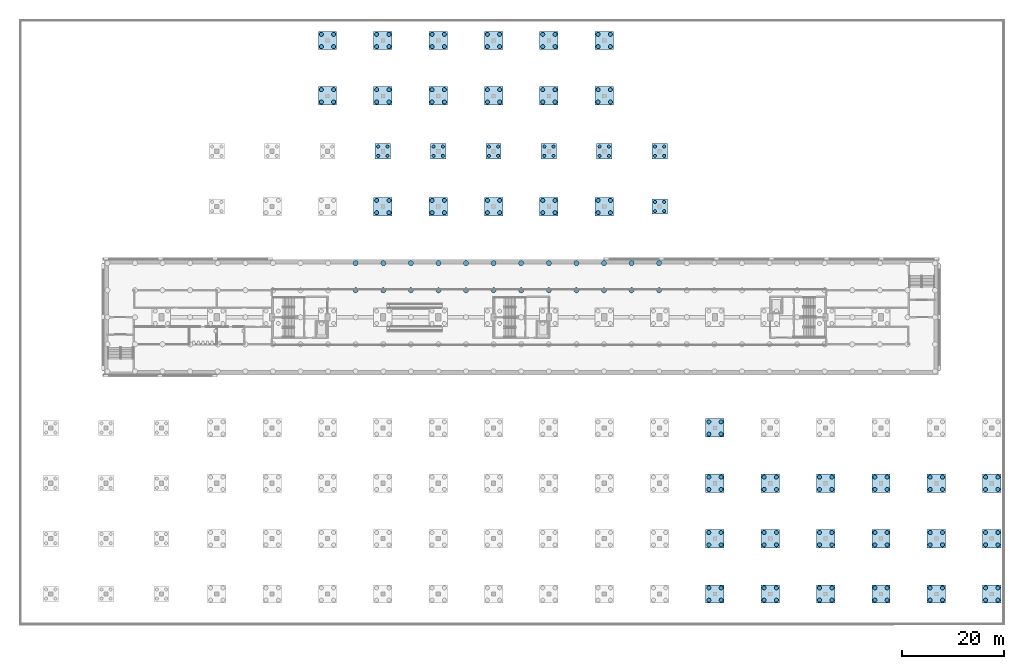
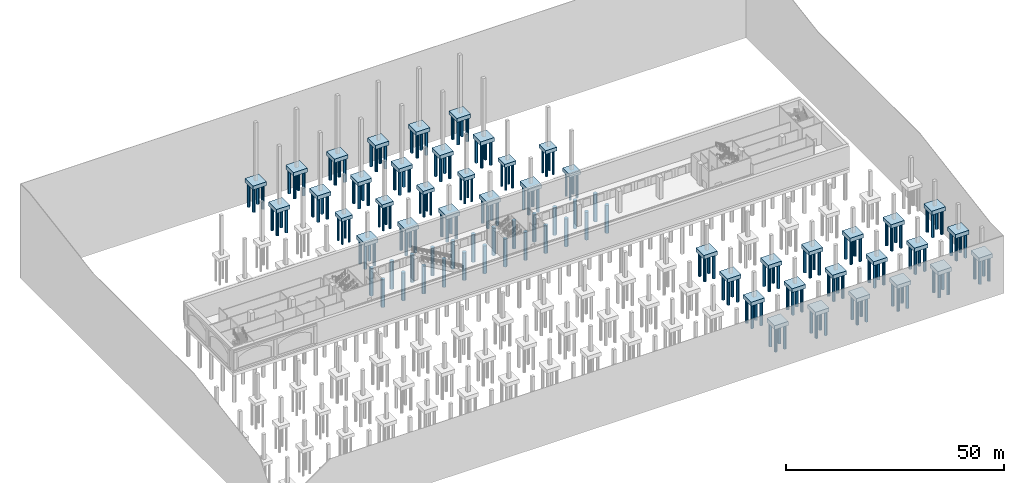
# One storey, part 3 of 39: 196 piles, 43 footings.
"""IFC4 building model written with IfcOpenShell, lengths in metres."""

from ifc_helpers import new_model, si_unit, direction, frame, origin, origin_2d, place, context, subcontext, project, spatial, rectangle, circle, extrude, material, material_profile, profile_set, type_object, element, save


model = new_model("IFC4")

# Units and contexts
model_context = context("Model", 3, precision=1e-05, world=origin(), true_north=direction((0.0, 1.0)))
body_context = subcontext(model_context, "Body", "Model", "MODEL_VIEW")
ifc_project = project(units=[si_unit("LENGTHUNIT", "METRE"), si_unit("AREAUNIT", "SQUARE_METRE"), si_unit("VOLUMEUNIT", "CUBIC_METRE"), si_unit("PLANEANGLEUNIT", "RADIAN"), si_unit("MASSUNIT", "GRAM", prefix="KILO")], contexts=[model_context])

# Site, building, storey
site_placement = place(None, origin())
site = spatial("IfcSite", under=ifc_project, at=site_placement, CompositionType="ELEMENT")
building_placement = place(site_placement, origin())
building = spatial("IfcBuilding", under=site, at=building_placement, Name="Magnolia Steps Interchange", CompositionType="ELEMENT")
storey_placement = place(building_placement, frame((0.0, 0.0, -11.39990234375)))
storey = spatial("IfcBuildingStorey", under=building, at=storey_placement, Name="B2", CompositionType="ELEMENT", Elevation=-11.39990234375)

# Piles
ifc_material_1 = material(Name="Concrete C35", Category="concrete")
ifc_material_profile_1 = material_profile(ifc_material_1, circle(Radius=0.5, at=origin_2d()), Name="Bored pile 1000")
ifc_profile_set_1 = profile_set([ifc_material_profile_1], Name="Concrete C35")
pile_type_1 = type_object("IfcPileType", Name="Bored pile 1000", PredefinedType="BORED", material=ifc_profile_set_1)
for number, where, z_axis, x_axis, name in (
    (1, (69.5, 69.27490234375, -1.300048828125), (0.0, 0.0, -1.0), (1.0, 0.0, 0.0), "Raft pile 10-4"),
    (2, (69.5, 74.550048828125, -1.300048828125), (0.0, 0.0, -1.0), (1.0, 0.0, 0.0), "Raft pile 10-5"),
    (3, (74.88330078125, 69.27490234375, -1.300048828125), (0.0, 0.0, -1.0), (1.0, 0.0, 0.0), "Raft pile 11-4"),
    (4, (74.88330078125, 74.550048828125, -1.300048828125), (0.0, 0.0, -1.0), (1.0, 0.0, 0.0), "Raft pile 11-5"),
    (5, (80.2666015625, 69.27490234375, -1.300048828125), (0.0, 0.0, -1.0), (1.0, 0.0, 0.0), "Raft pile 12-4"),
    (6, (80.2666015625, 74.550048828125, -1.300048828125), (0.0, 0.0, -1.0), (1.0, 0.0, 0.0), "Raft pile 12-5"),
    (7, (85.64990234375, 69.27490234375, -1.300048828125), (0.0, 0.0, -1.0), (1.0, 0.0, 0.0), "Raft pile 13-4"),
    (8, (85.64990234375, 74.550048828125, -1.300048828125), (0.0, 0.0, -1.0), (1.0, 0.0, 0.0), "Raft pile 13-5"),
    (9, (91.033203125, 69.27490234375, -1.300048828125), (0.0, 0.0, -1.0), (1.0, 0.0, 0.0), "Raft pile 14-4"),
    (10, (91.033203125, 74.550048828125, -1.300048828125), (0.0, 0.0, -1.0), (1.0, 0.0, 0.0), "Raft pile 14-5"),
    (11, (96.416748046875, 69.27490234375, -1.300048828125), (0.0, 0.0, -1.0), (1.0, 0.0, 0.0), "Raft pile 15-4"),
    (12, (96.416748046875, 74.550048828125, -1.300048828125), (0.0, 0.0, -1.0), (1.0, 0.0, 0.0), "Raft pile 15-5"),
    (13, (101.800048828125, 69.27490234375, -1.300048828125), (0.0, 0.0, -1.0), (1.0, 0.0, 0.0), "Raft pile 16-4"),
    (14, (101.800048828125, 74.550048828125, -1.300048828125), (0.0, 0.0, -1.0), (1.0, 0.0, 0.0), "Raft pile 16-5"),
    (15, (107.183349609375, 69.27490234375, -1.300048828125), (0.0, 0.0, -1.0), (1.0, 0.0, 0.0), "Raft pile 17-4"),
    (16, (107.183349609375, 74.550048828125, -1.300048828125), (0.0, 0.0, -1.0), (1.0, 0.0, 0.0), "Raft pile 17-5"),
    (17, (112.566650390625, 69.27490234375, -1.300048828125), (0.0, 0.0, -1.0), (1.0, 0.0, 0.0), "Raft pile 18-4"),
    (18, (112.566650390625, 74.550048828125, -1.300048828125), (0.0, 0.0, -1.0), (1.0, 0.0, 0.0), "Raft pile 18-5"),
    (19, (117.949951171875, 69.27490234375, -1.300048828125), (0.0, 0.0, -1.0), (1.0, 0.0, 0.0), "Raft pile 19-4"),
    (20, (117.949951171875, 74.550048828125, -1.300048828125), (0.0, 0.0, -1.0), (1.0, 0.0, 0.0), "Raft pile 19-5"),
    (21, (123.333251953125, 69.27490234375, -1.300048828125), (0.0, 0.0, -1.0), (1.0, 0.0, 0.0), "Raft pile 20-4"),
    (22, (123.333251953125, 74.550048828125, -1.300048828125), (0.0, 0.0, -1.0), (1.0, 0.0, 0.0), "Raft pile 20-5"),
    (23, (128.716796875, 69.27490234375, -1.300048828125), (0.0, 0.0, -1.0), (1.0, 0.0, 0.0), "Raft pile 21-4"),
    (24, (128.716796875, 74.550048828125, -1.300048828125), (0.0, 0.0, -1.0), (1.0, 0.0, 0.0), "Raft pile 21-5"),
):
    element("IfcPile", number, at=place(storey_placement, frame(where, z_axis=z_axis, x_axis=x_axis)), inside=storey, type_object=pile_type_1, Name=name, PredefinedType="BORED", context=body_context, shape_type="SweptSolid", body=[
        extrude(circle(Radius=0.5, at=origin_2d()), origin(), (0.0, 0.0, 1.0), 7.800048828125),
    ])
ifc_material_2 = material(Name="Concrete C35", Category="concrete")
ifc_material_profile_2 = material_profile(ifc_material_2, circle(Radius=0.300048828125, at=origin_2d()), Name="Bored pile 600")
ifc_profile_set_2 = profile_set([ifc_material_profile_2], Name="Concrete C35")
pile_type_2 = type_object("IfcPileType", Name="Bored pile 600", PredefinedType="BORED", material=ifc_profile_set_2)
for number, where, z_axis, x_axis, name in (
    (25, (73.89990234375, 95.5, -2.300048828125), (0.0, 0.0, -1.0), (1.0, 0.0, 0.0), "Bored pile 74.8-96.4-1"),
    (26, (75.699951171875, 95.5, -2.300048828125), (0.0, 0.0, -1.0), (1.0, 0.0, 0.0), "Bored pile 74.8-96.4-2"),
    (27, (75.699951171875, 97.300048828125, -2.300048828125), (0.0, 0.0, -1.0), (1.0, 0.0, 0.0), "Bored pile 74.8-96.4-3"),
    (28, (73.89990234375, 97.300048828125, -2.300048828125), (0.0, 0.0, -1.0), (1.0, 0.0, 0.0), "Bored pile 74.8-96.4-4"),
    (29, (84.699951171875, 95.5, -2.300048828125), (0.0, 0.0, -1.0), (1.0, 0.0, 0.0), "Bored pile 85.6-96.4-1"),
    (30, (86.5, 95.5, -2.300048828125), (0.0, 0.0, -1.0), (1.0, 0.0, 0.0), "Bored pile 85.6-96.4-2"),
    (31, (86.5, 97.300048828125, -2.300048828125), (0.0, 0.0, -1.0), (1.0, 0.0, 0.0), "Bored pile 85.6-96.4-3"),
    (32, (84.699951171875, 97.300048828125, -2.300048828125), (0.0, 0.0, -1.0), (1.0, 0.0, 0.0), "Bored pile 85.6-96.4-4"),
    (33, (95.5, 95.5, -2.300048828125), (0.0, 0.0, -1.0), (1.0, 0.0, 0.0), "Bored pile 96.4-96.4-1"),
    (34, (97.300048828125, 95.5, -2.300048828125), (0.0, 0.0, -1.0), (1.0, 0.0, 0.0), "Bored pile 96.4-96.4-2"),
    (35, (97.300048828125, 97.300048828125, -2.300048828125), (0.0, 0.0, -1.0), (1.0, 0.0, 0.0), "Bored pile 96.4-96.4-3"),
    (36, (95.5, 97.300048828125, -2.300048828125), (0.0, 0.0, -1.0), (1.0, 0.0, 0.0), "Bored pile 96.4-96.4-4"),
    (37, (106.300048828125, 95.5, -2.300048828125), (0.0, 0.0, -1.0), (1.0, 0.0, 0.0), "Bored pile 107.2-96.4-1"),
    (38, (108.10009765625, 95.5, -2.300048828125), (0.0, 0.0, -1.0), (1.0, 0.0, 0.0), "Bored pile 107.2-96.4-2"),
    (39, (108.10009765625, 97.300048828125, -2.300048828125), (0.0, 0.0, -1.0), (1.0, 0.0, 0.0), "Bored pile 107.2-96.4-3"),
    (40, (106.300048828125, 97.300048828125, -2.300048828125), (0.0, 0.0, -1.0), (1.0, 0.0, 0.0), "Bored pile 107.2-96.4-4"),
    (41, (117.10009765625, 95.5, -2.300048828125), (0.0, 0.0, -1.0), (1.0, 0.0, 0.0), "Bored pile 118.0-96.4-1"),
    (42, (118.89990234375, 95.5, -2.300048828125), (0.0, 0.0, -1.0), (1.0, 0.0, 0.0), "Bored pile 118.0-96.4-2"),
    (43, (118.89990234375, 97.300048828125, -2.300048828125), (0.0, 0.0, -1.0), (1.0, 0.0, 0.0), "Bored pile 118.0-96.4-3"),
    (44, (117.10009765625, 97.300048828125, -2.300048828125), (0.0, 0.0, -1.0), (1.0, 0.0, 0.0), "Bored pile 118.0-96.4-4"),
    (45, (127.89990234375, 84.699951171875, -2.300048828125), (0.0, 0.0, -1.0), (1.0, 0.0, 0.0), "Bored pile 128.8-85.6-1"),
    (46, (129.699951171875, 84.699951171875, -2.300048828125), (0.0, 0.0, -1.0), (1.0, 0.0, 0.0), "Bored pile 128.8-85.6-2"),
    (47, (129.699951171875, 86.5, -2.300048828125), (0.0, 0.0, -1.0), (1.0, 0.0, 0.0), "Bored pile 128.8-85.6-3"),
    (48, (127.89990234375, 86.5, -2.300048828125), (0.0, 0.0, -1.0), (1.0, 0.0, 0.0), "Bored pile 128.8-85.6-4"),
    (49, (127.89990234375, 95.5, -2.300048828125), (0.0, 0.0, -1.0), (1.0, 0.0, 0.0), "Bored pile 128.8-96.4-1"),
    (50, (129.699951171875, 95.5, -2.300048828125), (0.0, 0.0, -1.0), (1.0, 0.0, 0.0), "Bored pile 128.8-96.4-2"),
    (51, (129.699951171875, 97.300048828125, -2.300048828125), (0.0, 0.0, -1.0), (1.0, 0.0, 0.0), "Bored pile 128.8-96.4-3"),
    (52, (127.89990234375, 97.300048828125, -2.300048828125), (0.0, 0.0, -1.0), (1.0, 0.0, 0.0), "Bored pile 128.8-96.4-4"),
):
    element("IfcPile", number, at=place(storey_placement, frame(where, z_axis=z_axis, x_axis=x_axis)), inside=storey, type_object=pile_type_2, Name=name, PredefinedType="BORED", context=body_context, shape_type="SweptSolid", body=[
        extrude(circle(Radius=0.300048828125, at=origin_2d()), origin(), (0.0, 0.0, 1.0), 6.800048828125),
    ])
ifc_material_3 = material(Name="Concrete C35", Category="concrete")
ifc_material_profile_3 = material_profile(ifc_material_3, circle(Radius=0.39990234375, at=origin_2d()), Name="Bored pile 800")
ifc_profile_set_3 = profile_set([ifc_material_profile_3], Name="Concrete C35")
pile_type_3 = type_object("IfcPileType", Name="Bored pile 800", PredefinedType="BORED", material=ifc_profile_set_3)
for number, where, z_axis, x_axis, name in (
    (53, (138.39990234375, 41.199951171875, -2.400146484375), (0.0, 0.0, -1.0), (1.0, 0.0, 0.0), "Bored pile 139.6-42.4-1"),
    (54, (140.800048828125, 41.199951171875, -2.400146484375), (0.0, 0.0, -1.0), (1.0, 0.0, 0.0), "Bored pile 139.6-42.4-2"),
    (55, (140.800048828125, 43.60009765625, -2.400146484375), (0.0, 0.0, -1.0), (1.0, 0.0, 0.0), "Bored pile 139.6-42.4-3"),
    (56, (138.39990234375, 43.60009765625, -2.400146484375), (0.0, 0.0, -1.0), (1.0, 0.0, 0.0), "Bored pile 139.6-42.4-4"),
    (57, (138.39990234375, 8.800048828125, -2.400146484375), (0.0, 0.0, -1.0), (1.0, 0.0, 0.0), "Bored pile 139.6-10.0-1"),
    (58, (140.800048828125, 8.800048828125, -2.400146484375), (0.0, 0.0, -1.0), (1.0, 0.0, 0.0), "Bored pile 139.6-10.0-2"),
    (59, (140.800048828125, 11.199951171875, -2.400146484375), (0.0, 0.0, -1.0), (1.0, 0.0, 0.0), "Bored pile 139.6-10.0-3"),
    (60, (138.39990234375, 11.199951171875, -2.400146484375), (0.0, 0.0, -1.0), (1.0, 0.0, 0.0), "Bored pile 139.6-10.0-4"),
    (61, (138.39990234375, 19.60009765625, -2.400146484375), (0.0, 0.0, -1.0), (1.0, 0.0, 0.0), "Bored pile 139.6-20.8-1"),
    (62, (140.800048828125, 19.60009765625, -2.400146484375), (0.0, 0.0, -1.0), (1.0, 0.0, 0.0), "Bored pile 139.6-20.8-2"),
    (63, (140.800048828125, 22.0, -2.400146484375), (0.0, 0.0, -1.0), (1.0, 0.0, 0.0), "Bored pile 139.6-20.8-3"),
    (64, (138.39990234375, 22.0, -2.400146484375), (0.0, 0.0, -1.0), (1.0, 0.0, 0.0), "Bored pile 139.6-20.8-4"),
    (65, (138.39990234375, 30.39990234375, -2.400146484375), (0.0, 0.0, -1.0), (1.0, 0.0, 0.0), "Bored pile 139.6-31.6-1"),
    (66, (140.800048828125, 30.39990234375, -2.400146484375), (0.0, 0.0, -1.0), (1.0, 0.0, 0.0), "Bored pile 139.6-31.6-2"),
    (67, (140.800048828125, 32.800048828125, -2.400146484375), (0.0, 0.0, -1.0), (1.0, 0.0, 0.0), "Bored pile 139.6-31.6-3"),
    (68, (138.39990234375, 32.800048828125, -2.400146484375), (0.0, 0.0, -1.0), (1.0, 0.0, 0.0), "Bored pile 139.6-31.6-4"),
    (69, (149.199951171875, 8.800048828125, -2.400146484375), (0.0, 0.0, -1.0), (1.0, 0.0, 0.0), "Bored pile 150.4-10.0-1"),
    (70, (151.60009765625, 8.800048828125, -2.400146484375), (0.0, 0.0, -1.0), (1.0, 0.0, 0.0), "Bored pile 150.4-10.0-2"),
    (71, (151.60009765625, 11.199951171875, -2.400146484375), (0.0, 0.0, -1.0), (1.0, 0.0, 0.0), "Bored pile 150.4-10.0-3"),
    (72, (149.199951171875, 11.199951171875, -2.400146484375), (0.0, 0.0, -1.0), (1.0, 0.0, 0.0), "Bored pile 150.4-10.0-4"),
    (73, (149.199951171875, 19.60009765625, -2.400146484375), (0.0, 0.0, -1.0), (1.0, 0.0, 0.0), "Bored pile 150.4-20.8-1"),
    (74, (151.60009765625, 19.60009765625, -2.400146484375), (0.0, 0.0, -1.0), (1.0, 0.0, 0.0), "Bored pile 150.4-20.8-2"),
    (75, (151.60009765625, 22.0, -2.400146484375), (0.0, 0.0, -1.0), (1.0, 0.0, 0.0), "Bored pile 150.4-20.8-3"),
    (76, (149.199951171875, 22.0, -2.400146484375), (0.0, 0.0, -1.0), (1.0, 0.0, 0.0), "Bored pile 150.4-20.8-4"),
    (77, (149.199951171875, 30.39990234375, -2.400146484375), (0.0, 0.0, -1.0), (1.0, 0.0, 0.0), "Bored pile 150.4-31.6-1"),
    (78, (151.60009765625, 30.39990234375, -2.400146484375), (0.0, 0.0, -1.0), (1.0, 0.0, 0.0), "Bored pile 150.4-31.6-2"),
    (79, (151.60009765625, 32.800048828125, -2.400146484375), (0.0, 0.0, -1.0), (1.0, 0.0, 0.0), "Bored pile 150.4-31.6-3"),
    (80, (149.199951171875, 32.800048828125, -2.400146484375), (0.0, 0.0, -1.0), (1.0, 0.0, 0.0), "Bored pile 150.4-31.6-4"),
    (81, (160.0, 8.800048828125, -2.400146484375), (0.0, 0.0, -1.0), (1.0, 0.0, 0.0), "Bored pile 161.2-10.0-1"),
    (82, (162.39990234375, 8.800048828125, -2.400146484375), (0.0, 0.0, -1.0), (1.0, 0.0, 0.0), "Bored pile 161.2-10.0-2"),
    (83, (162.39990234375, 11.199951171875, -2.400146484375), (0.0, 0.0, -1.0), (1.0, 0.0, 0.0), "Bored pile 161.2-10.0-3"),
    (84, (160.0, 11.199951171875, -2.400146484375), (0.0, 0.0, -1.0), (1.0, 0.0, 0.0), "Bored pile 161.2-10.0-4"),
    (85, (160.0, 19.60009765625, -2.400146484375), (0.0, 0.0, -1.0), (1.0, 0.0, 0.0), "Bored pile 161.2-20.8-1"),
    (86, (162.39990234375, 19.60009765625, -2.400146484375), (0.0, 0.0, -1.0), (1.0, 0.0, 0.0), "Bored pile 161.2-20.8-2"),
    (87, (162.39990234375, 22.0, -2.400146484375), (0.0, 0.0, -1.0), (1.0, 0.0, 0.0), "Bored pile 161.2-20.8-3"),
    (88, (160.0, 22.0, -2.400146484375), (0.0, 0.0, -1.0), (1.0, 0.0, 0.0), "Bored pile 161.2-20.8-4"),
    (89, (160.0, 30.39990234375, -2.400146484375), (0.0, 0.0, -1.0), (1.0, 0.0, 0.0), "Bored pile 161.2-31.6-1"),
    (90, (162.39990234375, 30.39990234375, -2.400146484375), (0.0, 0.0, -1.0), (1.0, 0.0, 0.0), "Bored pile 161.2-31.6-2"),
    (91, (162.39990234375, 32.800048828125, -2.400146484375), (0.0, 0.0, -1.0), (1.0, 0.0, 0.0), "Bored pile 161.2-31.6-3"),
    (92, (160.0, 32.800048828125, -2.400146484375), (0.0, 0.0, -1.0), (1.0, 0.0, 0.0), "Bored pile 161.2-31.6-4"),
    (93, (170.800048828125, 8.800048828125, -2.400146484375), (0.0, 0.0, -1.0), (1.0, 0.0, 0.0), "Bored pile 172.0-10.0-1"),
    (94, (173.199951171875, 8.800048828125, -2.400146484375), (0.0, 0.0, -1.0), (1.0, 0.0, 0.0), "Bored pile 172.0-10.0-2"),
    (95, (173.199951171875, 11.199951171875, -2.400146484375), (0.0, 0.0, -1.0), (1.0, 0.0, 0.0), "Bored pile 172.0-10.0-3"),
    (96, (170.800048828125, 11.199951171875, -2.400146484375), (0.0, 0.0, -1.0), (1.0, 0.0, 0.0), "Bored pile 172.0-10.0-4"),
    (97, (170.800048828125, 19.60009765625, -2.400146484375), (0.0, 0.0, -1.0), (1.0, 0.0, 0.0), "Bored pile 172.0-20.8-1"),
    (98, (173.199951171875, 19.60009765625, -2.400146484375), (0.0, 0.0, -1.0), (1.0, 0.0, 0.0), "Bored pile 172.0-20.8-2"),
    (99, (173.199951171875, 22.0, -2.400146484375), (0.0, 0.0, -1.0), (1.0, 0.0, 0.0), "Bored pile 172.0-20.8-3"),
    (100, (170.800048828125, 22.0, -2.400146484375), (0.0, 0.0, -1.0), (1.0, 0.0, 0.0), "Bored pile 172.0-20.8-4"),
    (101, (170.800048828125, 30.39990234375, -2.400146484375), (0.0, 0.0, -1.0), (1.0, 0.0, 0.0), "Bored pile 172.0-31.6-1"),
    (102, (173.199951171875, 30.39990234375, -2.400146484375), (0.0, 0.0, -1.0), (1.0, 0.0, 0.0), "Bored pile 172.0-31.6-2"),
    (103, (173.199951171875, 32.800048828125, -2.400146484375), (0.0, 0.0, -1.0), (1.0, 0.0, 0.0), "Bored pile 172.0-31.6-3"),
    (104, (170.800048828125, 32.800048828125, -2.400146484375), (0.0, 0.0, -1.0), (1.0, 0.0, 0.0), "Bored pile 172.0-31.6-4"),
    (105, (181.60009765625, 8.800048828125, -2.400146484375), (0.0, 0.0, -1.0), (1.0, 0.0, 0.0), "Bored pile 182.8-10.0-1"),
    (106, (184.0, 8.800048828125, -2.400146484375), (0.0, 0.0, -1.0), (1.0, 0.0, 0.0), "Bored pile 182.8-10.0-2"),
    (107, (184.0, 11.199951171875, -2.400146484375), (0.0, 0.0, -1.0), (1.0, 0.0, 0.0), "Bored pile 182.8-10.0-3"),
    (108, (181.60009765625, 11.199951171875, -2.400146484375), (0.0, 0.0, -1.0), (1.0, 0.0, 0.0), "Bored pile 182.8-10.0-4"),
    (109, (181.60009765625, 19.60009765625, -2.400146484375), (0.0, 0.0, -1.0), (1.0, 0.0, 0.0), "Bored pile 182.8-20.8-1"),
    (110, (184.0, 19.60009765625, -2.400146484375), (0.0, 0.0, -1.0), (1.0, 0.0, 0.0), "Bored pile 182.8-20.8-2"),
    (111, (184.0, 22.0, -2.400146484375), (0.0, 0.0, -1.0), (1.0, 0.0, 0.0), "Bored pile 182.8-20.8-3"),
    (112, (181.60009765625, 22.0, -2.400146484375), (0.0, 0.0, -1.0), (1.0, 0.0, 0.0), "Bored pile 182.8-20.8-4"),
    (113, (181.60009765625, 30.39990234375, -2.400146484375), (0.0, 0.0, -1.0), (1.0, 0.0, 0.0), "Bored pile 182.8-31.6-1"),
    (114, (184.0, 30.39990234375, -2.400146484375), (0.0, 0.0, -1.0), (1.0, 0.0, 0.0), "Bored pile 182.8-31.6-2"),
    (115, (184.0, 32.800048828125, -2.400146484375), (0.0, 0.0, -1.0), (1.0, 0.0, 0.0), "Bored pile 182.8-31.6-3"),
    (116, (181.60009765625, 32.800048828125, -2.400146484375), (0.0, 0.0, -1.0), (1.0, 0.0, 0.0), "Bored pile 182.8-31.6-4"),
    (117, (192.39990234375, 8.800048828125, -2.400146484375), (0.0, 0.0, -1.0), (1.0, 0.0, 0.0), "Bored pile 193.6-10.0-1"),
    (118, (194.800048828125, 8.800048828125, -2.400146484375), (0.0, 0.0, -1.0), (1.0, 0.0, 0.0), "Bored pile 193.6-10.0-2"),
    (119, (194.800048828125, 11.199951171875, -2.400146484375), (0.0, 0.0, -1.0), (1.0, 0.0, 0.0), "Bored pile 193.6-10.0-3"),
    (120, (192.39990234375, 11.199951171875, -2.400146484375), (0.0, 0.0, -1.0), (1.0, 0.0, 0.0), "Bored pile 193.6-10.0-4"),
    (121, (192.39990234375, 19.60009765625, -2.400146484375), (0.0, 0.0, -1.0), (1.0, 0.0, 0.0), "Bored pile 193.6-20.8-1"),
    (122, (194.800048828125, 19.60009765625, -2.400146484375), (0.0, 0.0, -1.0), (1.0, 0.0, 0.0), "Bored pile 193.6-20.8-2"),
    (123, (194.800048828125, 22.0, -2.400146484375), (0.0, 0.0, -1.0), (1.0, 0.0, 0.0), "Bored pile 193.6-20.8-3"),
    (124, (192.39990234375, 22.0, -2.400146484375), (0.0, 0.0, -1.0), (1.0, 0.0, 0.0), "Bored pile 193.6-20.8-4"),
    (125, (192.39990234375, 30.39990234375, -2.400146484375), (0.0, 0.0, -1.0), (1.0, 0.0, 0.0), "Bored pile 193.6-31.6-1"),
    (126, (194.800048828125, 30.39990234375, -2.400146484375), (0.0, 0.0, -1.0), (1.0, 0.0, 0.0), "Bored pile 193.6-31.6-2"),
    (127, (194.800048828125, 32.800048828125, -2.400146484375), (0.0, 0.0, -1.0), (1.0, 0.0, 0.0), "Bored pile 193.6-31.6-3"),
    (128, (192.39990234375, 32.800048828125, -2.400146484375), (0.0, 0.0, -1.0), (1.0, 0.0, 0.0), "Bored pile 193.6-31.6-4"),
    (129, (73.60009765625, 84.39990234375, -2.400146484375), (0.0, 0.0, -1.0), (1.0, 0.0, 0.0), "Bored pile 74.8-85.6-1"),
    (130, (76.0, 84.39990234375, -2.400146484375), (0.0, 0.0, -1.0), (1.0, 0.0, 0.0), "Bored pile 74.8-85.6-2"),
    (131, (76.0, 86.800048828125, -2.400146484375), (0.0, 0.0, -1.0), (1.0, 0.0, 0.0), "Bored pile 74.8-85.6-3"),
    (132, (73.60009765625, 86.800048828125, -2.400146484375), (0.0, 0.0, -1.0), (1.0, 0.0, 0.0), "Bored pile 74.8-85.6-4"),
    (133, (84.39990234375, 84.39990234375, -2.400146484375), (0.0, 0.0, -1.0), (1.0, 0.0, 0.0), "Bored pile 85.6-85.6-1"),
    (134, (86.800048828125, 84.39990234375, -2.400146484375), (0.0, 0.0, -1.0), (1.0, 0.0, 0.0), "Bored pile 85.6-85.6-2"),
    (135, (86.800048828125, 86.800048828125, -2.400146484375), (0.0, 0.0, -1.0), (1.0, 0.0, 0.0), "Bored pile 85.6-85.6-3"),
    (136, (84.39990234375, 86.800048828125, -2.400146484375), (0.0, 0.0, -1.0), (1.0, 0.0, 0.0), "Bored pile 85.6-85.6-4"),
    (137, (95.199951171875, 84.39990234375, -2.400146484375), (0.0, 0.0, -1.0), (1.0, 0.0, 0.0), "Bored pile 96.4-85.6-1"),
    (138, (97.60009765625, 84.39990234375, -2.400146484375), (0.0, 0.0, -1.0), (1.0, 0.0, 0.0), "Bored pile 96.4-85.6-2"),
    (139, (97.60009765625, 86.800048828125, -2.400146484375), (0.0, 0.0, -1.0), (1.0, 0.0, 0.0), "Bored pile 96.4-85.6-3"),
    (140, (95.199951171875, 86.800048828125, -2.400146484375), (0.0, 0.0, -1.0), (1.0, 0.0, 0.0), "Bored pile 96.4-85.6-4"),
    (141, (106.0, 84.39990234375, -2.400146484375), (0.0, 0.0, -1.0), (1.0, 0.0, 0.0), "Bored pile 107.2-85.6-1"),
    (142, (108.39990234375, 84.39990234375, -2.400146484375), (0.0, 0.0, -1.0), (1.0, 0.0, 0.0), "Bored pile 107.2-85.6-2"),
    (143, (108.39990234375, 86.800048828125, -2.400146484375), (0.0, 0.0, -1.0), (1.0, 0.0, 0.0), "Bored pile 107.2-85.6-3"),
    (144, (106.0, 86.800048828125, -2.400146484375), (0.0, 0.0, -1.0), (1.0, 0.0, 0.0), "Bored pile 107.2-85.6-4"),
    (145, (116.800048828125, 84.39990234375, -2.400146484375), (0.0, 0.0, -1.0), (1.0, 0.0, 0.0), "Bored pile 118.0-85.6-1"),
    (146, (119.199951171875, 84.39990234375, -2.400146484375), (0.0, 0.0, -1.0), (1.0, 0.0, 0.0), "Bored pile 118.0-85.6-2"),
    (147, (119.199951171875, 86.800048828125, -2.400146484375), (0.0, 0.0, -1.0), (1.0, 0.0, 0.0), "Bored pile 118.0-85.6-3"),
    (148, (116.800048828125, 86.800048828125, -2.400146484375), (0.0, 0.0, -1.0), (1.0, 0.0, 0.0), "Bored pile 118.0-85.6-4"),
    (149, (62.800048828125, 106.0, -2.400146484375), (0.0, 0.0, -1.0), (1.0, 0.0, 0.0), "Bored pile 64.0-107.2-1"),
    (150, (65.199951171875, 106.0, -2.400146484375), (0.0, 0.0, -1.0), (1.0, 0.0, 0.0), "Bored pile 64.0-107.2-2"),
    (151, (65.199951171875, 108.39990234375, -2.400146484375), (0.0, 0.0, -1.0), (1.0, 0.0, 0.0), "Bored pile 64.0-107.2-3"),
    (152, (62.800048828125, 108.39990234375, -2.400146484375), (0.0, 0.0, -1.0), (1.0, 0.0, 0.0), "Bored pile 64.0-107.2-4"),
    (153, (62.800048828125, 116.800048828125, -2.400146484375), (0.0, 0.0, -1.0), (1.0, 0.0, 0.0), "Bored pile 64.0-118.0-1"),
    (154, (65.199951171875, 116.800048828125, -2.400146484375), (0.0, 0.0, -1.0), (1.0, 0.0, 0.0), "Bored pile 64.0-118.0-2"),
    (155, (65.199951171875, 119.199951171875, -2.400146484375), (0.0, 0.0, -1.0), (1.0, 0.0, 0.0), "Bored pile 64.0-118.0-3"),
    (156, (62.800048828125, 119.199951171875, -2.400146484375), (0.0, 0.0, -1.0), (1.0, 0.0, 0.0), "Bored pile 64.0-118.0-4"),
    (157, (73.60009765625, 106.0, -2.400146484375), (0.0, 0.0, -1.0), (1.0, 0.0, 0.0), "Bored pile 74.8-107.2-1"),
    (158, (76.0, 106.0, -2.400146484375), (0.0, 0.0, -1.0), (1.0, 0.0, 0.0), "Bored pile 74.8-107.2-2"),
    (159, (76.0, 108.39990234375, -2.400146484375), (0.0, 0.0, -1.0), (1.0, 0.0, 0.0), "Bored pile 74.8-107.2-3"),
    (160, (73.60009765625, 108.39990234375, -2.400146484375), (0.0, 0.0, -1.0), (1.0, 0.0, 0.0), "Bored pile 74.8-107.2-4"),
    (161, (73.60009765625, 116.800048828125, -2.400146484375), (0.0, 0.0, -1.0), (1.0, 0.0, 0.0), "Bored pile 74.8-118.0-1"),
    (162, (76.0, 116.800048828125, -2.400146484375), (0.0, 0.0, -1.0), (1.0, 0.0, 0.0), "Bored pile 74.8-118.0-2"),
    (163, (76.0, 119.199951171875, -2.400146484375), (0.0, 0.0, -1.0), (1.0, 0.0, 0.0), "Bored pile 74.8-118.0-3"),
    (164, (73.60009765625, 119.199951171875, -2.400146484375), (0.0, 0.0, -1.0), (1.0, 0.0, 0.0), "Bored pile 74.8-118.0-4"),
    (165, (84.39990234375, 106.0, -2.400146484375), (0.0, 0.0, -1.0), (1.0, 0.0, 0.0), "Bored pile 85.6-107.2-1"),
    (166, (86.800048828125, 106.0, -2.400146484375), (0.0, 0.0, -1.0), (1.0, 0.0, 0.0), "Bored pile 85.6-107.2-2"),
    (167, (86.800048828125, 108.39990234375, -2.400146484375), (0.0, 0.0, -1.0), (1.0, 0.0, 0.0), "Bored pile 85.6-107.2-3"),
    (168, (84.39990234375, 108.39990234375, -2.400146484375), (0.0, 0.0, -1.0), (1.0, 0.0, 0.0), "Bored pile 85.6-107.2-4"),
    (169, (84.39990234375, 116.800048828125, -2.400146484375), (0.0, 0.0, -1.0), (1.0, 0.0, 0.0), "Bored pile 85.6-118.0-1"),
    (170, (86.800048828125, 116.800048828125, -2.400146484375), (0.0, 0.0, -1.0), (1.0, 0.0, 0.0), "Bored pile 85.6-118.0-2"),
    (171, (86.800048828125, 119.199951171875, -2.400146484375), (0.0, 0.0, -1.0), (1.0, 0.0, 0.0), "Bored pile 85.6-118.0-3"),
    (172, (84.39990234375, 119.199951171875, -2.400146484375), (0.0, 0.0, -1.0), (1.0, 0.0, 0.0), "Bored pile 85.6-118.0-4"),
    (173, (95.199951171875, 106.0, -2.400146484375), (0.0, 0.0, -1.0), (1.0, 0.0, 0.0), "Bored pile 96.4-107.2-1"),
    (174, (97.60009765625, 106.0, -2.400146484375), (0.0, 0.0, -1.0), (1.0, 0.0, 0.0), "Bored pile 96.4-107.2-2"),
    (175, (97.60009765625, 108.39990234375, -2.400146484375), (0.0, 0.0, -1.0), (1.0, 0.0, 0.0), "Bored pile 96.4-107.2-3"),
    (176, (95.199951171875, 108.39990234375, -2.400146484375), (0.0, 0.0, -1.0), (1.0, 0.0, 0.0), "Bored pile 96.4-107.2-4"),
    (177, (95.199951171875, 116.800048828125, -2.400146484375), (0.0, 0.0, -1.0), (1.0, 0.0, 0.0), "Bored pile 96.4-118.0-1"),
    (178, (97.60009765625, 116.800048828125, -2.400146484375), (0.0, 0.0, -1.0), (1.0, 0.0, 0.0), "Bored pile 96.4-118.0-2"),
    (179, (97.60009765625, 119.199951171875, -2.400146484375), (0.0, 0.0, -1.0), (1.0, 0.0, 0.0), "Bored pile 96.4-118.0-3"),
    (180, (95.199951171875, 119.199951171875, -2.400146484375), (0.0, 0.0, -1.0), (1.0, 0.0, 0.0), "Bored pile 96.4-118.0-4"),
    (181, (106.0, 106.0, -2.400146484375), (0.0, 0.0, -1.0), (1.0, 0.0, 0.0), "Bored pile 107.2-107.2-1"),
    (182, (108.39990234375, 106.0, -2.400146484375), (0.0, 0.0, -1.0), (1.0, 0.0, 0.0), "Bored pile 107.2-107.2-2"),
    (183, (108.39990234375, 108.39990234375, -2.400146484375), (0.0, 0.0, -1.0), (1.0, 0.0, 0.0), "Bored pile 107.2-107.2-3"),
    (184, (106.0, 108.39990234375, -2.400146484375), (0.0, 0.0, -1.0), (1.0, 0.0, 0.0), "Bored pile 107.2-107.2-4"),
    (185, (106.0, 116.800048828125, -2.400146484375), (0.0, 0.0, -1.0), (1.0, 0.0, 0.0), "Bored pile 107.2-118.0-1"),
    (186, (108.39990234375, 116.800048828125, -2.400146484375), (0.0, 0.0, -1.0), (1.0, 0.0, 0.0), "Bored pile 107.2-118.0-2"),
    (187, (108.39990234375, 119.199951171875, -2.400146484375), (0.0, 0.0, -1.0), (1.0, 0.0, 0.0), "Bored pile 107.2-118.0-3"),
    (188, (106.0, 119.199951171875, -2.400146484375), (0.0, 0.0, -1.0), (1.0, 0.0, 0.0), "Bored pile 107.2-118.0-4"),
    (189, (116.800048828125, 106.0, -2.400146484375), (0.0, 0.0, -1.0), (1.0, 0.0, 0.0), "Bored pile 118.0-107.2-1"),
    (190, (119.199951171875, 106.0, -2.400146484375), (0.0, 0.0, -1.0), (1.0, 0.0, 0.0), "Bored pile 118.0-107.2-2"),
    (191, (119.199951171875, 108.39990234375, -2.400146484375), (0.0, 0.0, -1.0), (1.0, 0.0, 0.0), "Bored pile 118.0-107.2-3"),
    (192, (116.800048828125, 108.39990234375, -2.400146484375), (0.0, 0.0, -1.0), (1.0, 0.0, 0.0), "Bored pile 118.0-107.2-4"),
    (193, (116.800048828125, 116.800048828125, -2.400146484375), (0.0, 0.0, -1.0), (1.0, 0.0, 0.0), "Bored pile 118.0-118.0-1"),
    (194, (119.199951171875, 116.800048828125, -2.400146484375), (0.0, 0.0, -1.0), (1.0, 0.0, 0.0), "Bored pile 118.0-118.0-2"),
    (195, (119.199951171875, 119.199951171875, -2.400146484375), (0.0, 0.0, -1.0), (1.0, 0.0, 0.0), "Bored pile 118.0-118.0-3"),
    (196, (116.800048828125, 119.199951171875, -2.400146484375), (0.0, 0.0, -1.0), (1.0, 0.0, 0.0), "Bored pile 118.0-118.0-4"),
):
    element("IfcPile", number, at=place(storey_placement, frame(where, z_axis=z_axis, x_axis=x_axis)), inside=storey, type_object=pile_type_3, Name=name, PredefinedType="BORED", context=body_context, shape_type="SweptSolid", body=[
        extrude(circle(Radius=0.39990234375, at=origin_2d()), origin(), (0.0, 0.0, 1.0), 6.699951171875),
    ])

# Footings
ifc_material_4 = material(Name="Concrete C40", Category="concrete")
footing_type_1 = type_object("IfcFootingType", Name="Pile cap 3000 x 3000 x 1000", PredefinedType="PILE_CAP", material=ifc_material_4)
for number, where, z_axis, x_axis, name in (
    (197, (74.800048828125, 96.39990234375, -2.400146484375), (0.0, 0.0, 1.0), (1.0, 0.0, 0.0), "Pile cap 74.8-96.4"),
    (198, (85.60009765625, 96.39990234375, -2.400146484375), (0.0, 0.0, 1.0), (1.0, 0.0, 0.0), "Pile cap 85.6-96.4"),
    (199, (96.39990234375, 96.39990234375, -2.400146484375), (0.0, 0.0, 1.0), (1.0, 0.0, 0.0), "Pile cap 96.4-96.4"),
    (200, (107.199951171875, 96.39990234375, -2.400146484375), (0.0, 0.0, 1.0), (1.0, 0.0, 0.0), "Pile cap 107.2-96.4"),
    (201, (118.0, 96.39990234375, -2.400146484375), (0.0, 0.0, 1.0), (1.0, 0.0, 0.0), "Pile cap 118.0-96.4"),
    (202, (128.800048828125, 85.60009765625, -2.400146484375), (0.0, 0.0, 1.0), (1.0, 0.0, 0.0), "Pile cap 128.8-85.6"),
    (203, (128.800048828125, 96.39990234375, -2.400146484375), (0.0, 0.0, 1.0), (1.0, 0.0, 0.0), "Pile cap 128.8-96.4"),
):
    element("IfcFooting", number, at=place(storey_placement, frame(where, z_axis=z_axis, x_axis=x_axis)), inside=storey, type_object=footing_type_1, Name=name, PredefinedType="PILE_CAP", context=body_context, shape_type="SweptSolid", body=[
        extrude(rectangle(XDim=3.0, YDim=3.0, at=origin_2d()), origin(), (0.0, 0.0, 1.0), 1.0),
    ])
ifc_material_5 = material(Name="Concrete C40", Category="concrete")
footing_type_2 = type_object("IfcFootingType", Name="Pile cap 3600 x 3600 x 1100", PredefinedType="PILE_CAP", material=ifc_material_5)
for number, where, z_axis, x_axis, name in (
    (204, (139.60009765625, 42.39990234375, -2.500244140625), (0.0, 0.0, 1.0), (1.0, 0.0, 0.0), "Pile cap 139.6-42.4"),
    (205, (139.60009765625, 10.0, -2.500244140625), (0.0, 0.0, 1.0), (1.0, 0.0, 0.0), "Pile cap 139.6-10.0"),
    (206, (139.60009765625, 20.800048828125, -2.500244140625), (0.0, 0.0, 1.0), (1.0, 0.0, 0.0), "Pile cap 139.6-20.8"),
    (207, (139.60009765625, 31.60009765625, -2.500244140625), (0.0, 0.0, 1.0), (1.0, 0.0, 0.0), "Pile cap 139.6-31.6"),
    (208, (150.39990234375, 10.0, -2.500244140625), (0.0, 0.0, 1.0), (1.0, 0.0, 0.0), "Pile cap 150.4-10.0"),
    (209, (150.39990234375, 20.800048828125, -2.500244140625), (0.0, 0.0, 1.0), (1.0, 0.0, 0.0), "Pile cap 150.4-20.8"),
    (210, (150.39990234375, 31.60009765625, -2.500244140625), (0.0, 0.0, 1.0), (1.0, 0.0, 0.0), "Pile cap 150.4-31.6"),
    (211, (161.199951171875, 10.0, -2.500244140625), (0.0, 0.0, 1.0), (1.0, 0.0, 0.0), "Pile cap 161.2-10.0"),
    (212, (161.199951171875, 20.800048828125, -2.500244140625), (0.0, 0.0, 1.0), (1.0, 0.0, 0.0), "Pile cap 161.2-20.8"),
    (213, (161.199951171875, 31.60009765625, -2.500244140625), (0.0, 0.0, 1.0), (1.0, 0.0, 0.0), "Pile cap 161.2-31.6"),
    (214, (172.0, 10.0, -2.500244140625), (0.0, 0.0, 1.0), (1.0, 0.0, 0.0), "Pile cap 172.0-10.0"),
    (215, (172.0, 20.800048828125, -2.500244140625), (0.0, 0.0, 1.0), (1.0, 0.0, 0.0), "Pile cap 172.0-20.8"),
    (216, (172.0, 31.60009765625, -2.500244140625), (0.0, 0.0, 1.0), (1.0, 0.0, 0.0), "Pile cap 172.0-31.6"),
    (217, (182.800048828125, 10.0, -2.500244140625), (0.0, 0.0, 1.0), (1.0, 0.0, 0.0), "Pile cap 182.8-10.0"),
    (218, (182.800048828125, 20.800048828125, -2.500244140625), (0.0, 0.0, 1.0), (1.0, 0.0, 0.0), "Pile cap 182.8-20.8"),
    (219, (182.800048828125, 31.60009765625, -2.500244140625), (0.0, 0.0, 1.0), (1.0, 0.0, 0.0), "Pile cap 182.8-31.6"),
    (220, (193.60009765625, 10.0, -2.500244140625), (0.0, 0.0, 1.0), (1.0, 0.0, 0.0), "Pile cap 193.6-10.0"),
    (221, (193.60009765625, 20.800048828125, -2.500244140625), (0.0, 0.0, 1.0), (1.0, 0.0, 0.0), "Pile cap 193.6-20.8"),
    (222, (193.60009765625, 31.60009765625, -2.500244140625), (0.0, 0.0, 1.0), (1.0, 0.0, 0.0), "Pile cap 193.6-31.6"),
    (223, (74.800048828125, 85.60009765625, -2.500244140625), (0.0, 0.0, 1.0), (1.0, 0.0, 0.0), "Pile cap 74.8-85.6"),
    (224, (85.60009765625, 85.60009765625, -2.500244140625), (0.0, 0.0, 1.0), (1.0, 0.0, 0.0), "Pile cap 85.6-85.6"),
    (225, (96.39990234375, 85.60009765625, -2.500244140625), (0.0, 0.0, 1.0), (1.0, 0.0, 0.0), "Pile cap 96.4-85.6"),
    (226, (107.199951171875, 85.60009765625, -2.500244140625), (0.0, 0.0, 1.0), (1.0, 0.0, 0.0), "Pile cap 107.2-85.6"),
    (227, (118.0, 85.60009765625, -2.500244140625), (0.0, 0.0, 1.0), (1.0, 0.0, 0.0), "Pile cap 118.0-85.6"),
    (228, (64.0, 107.199951171875, -2.500244140625), (0.0, 0.0, 1.0), (1.0, 0.0, 0.0), "Pile cap 64.0-107.2"),
    (229, (64.0, 118.0, -2.500244140625), (0.0, 0.0, 1.0), (1.0, 0.0, 0.0), "Pile cap 64.0-118.0"),
    (230, (74.800048828125, 107.199951171875, -2.500244140625), (0.0, 0.0, 1.0), (1.0, 0.0, 0.0), "Pile cap 74.8-107.2"),
    (231, (74.800048828125, 118.0, -2.500244140625), (0.0, 0.0, 1.0), (1.0, 0.0, 0.0), "Pile cap 74.8-118.0"),
    (232, (85.60009765625, 107.199951171875, -2.500244140625), (0.0, 0.0, 1.0), (1.0, 0.0, 0.0), "Pile cap 85.6-107.2"),
    (233, (85.60009765625, 118.0, -2.500244140625), (0.0, 0.0, 1.0), (1.0, 0.0, 0.0), "Pile cap 85.6-118.0"),
    (234, (96.39990234375, 107.199951171875, -2.500244140625), (0.0, 0.0, 1.0), (1.0, 0.0, 0.0), "Pile cap 96.4-107.2"),
    (235, (96.39990234375, 118.0, -2.500244140625), (0.0, 0.0, 1.0), (1.0, 0.0, 0.0), "Pile cap 96.4-118.0"),
    (236, (107.199951171875, 107.199951171875, -2.500244140625), (0.0, 0.0, 1.0), (1.0, 0.0, 0.0), "Pile cap 107.2-107.2"),
    (237, (107.199951171875, 118.0, -2.500244140625), (0.0, 0.0, 1.0), (1.0, 0.0, 0.0), "Pile cap 107.2-118.0"),
    (238, (118.0, 107.199951171875, -2.500244140625), (0.0, 0.0, 1.0), (1.0, 0.0, 0.0), "Pile cap 118.0-107.2"),
    (239, (118.0, 118.0, -2.500244140625), (0.0, 0.0, 1.0), (1.0, 0.0, 0.0), "Pile cap 118.0-118.0"),
):
    element("IfcFooting", number, at=place(storey_placement, frame(where, z_axis=z_axis, x_axis=x_axis)), inside=storey, type_object=footing_type_2, Name=name, PredefinedType="PILE_CAP", context=body_context, shape_type="SweptSolid", body=[
        extrude(rectangle(XDim=3.60009765625, YDim=3.60009765625, at=origin_2d()), origin(), (0.0, 0.0, 1.0), 1.10009765625),
    ])

save(model, "model.ifc")
